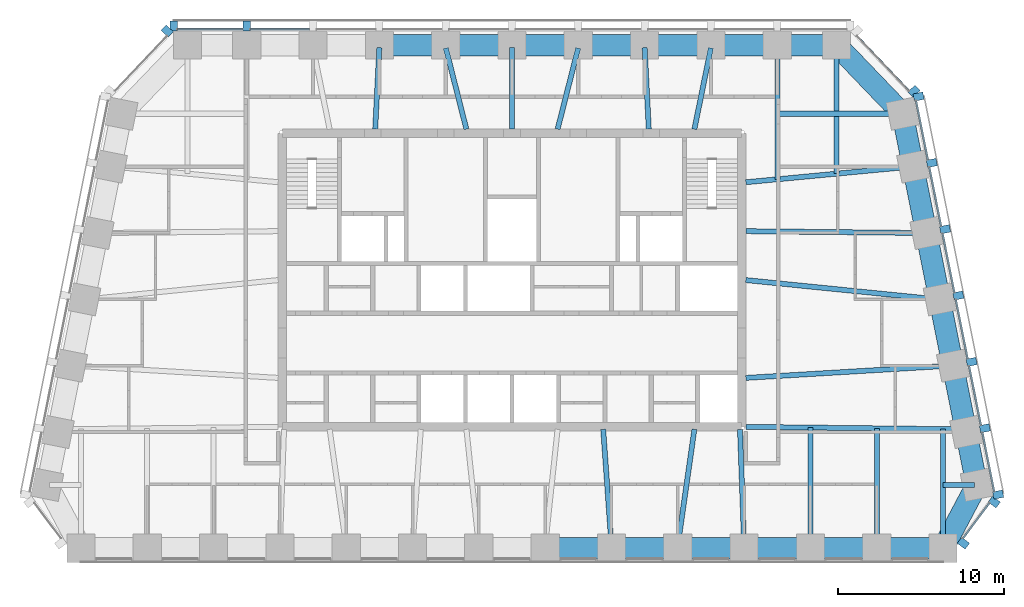
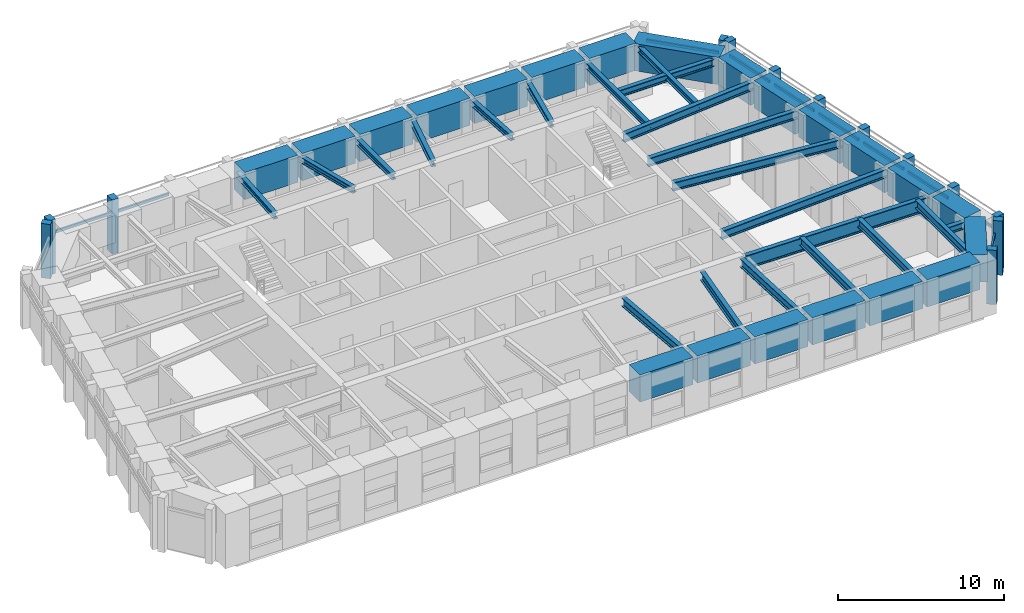
# One storey, part 2 of 10: 42 beams, 23 members, 5 elements without a shape of their own.
"""IFC4 building model written with IfcOpenShell, lengths in metres."""

import ifcopenshell
import ifcopenshell.guid

model = None  # the IFC model being written
_history = None  # IfcOwnerHistory: only IFC2X3 demands one
_inside = {}  # id of a spatial element -> (the spatial element, [elements in it])
_under = {}  # id of a project, library or spatial element -> (it, [spatial elements below it])
_declared = {}  # id of a project -> (the project, [libraries it declares])
_typed = {}  # id of a type object -> (the type object, [elements of that type])
_made_of = {}  # id of a material, layer set ... -> (it, [elements and type objects made of it])


def new_model(schema):
    """Start an empty IFC model of exactly this schema.

    Asked for "IFC4X3", IfcOpenShell would pick the latest addendum, in which some entities
    have other attributes; the version numbers below select the first issue.
    IFC2X3 requires an IfcOwnerHistory on every rooted entity: one is made here for all.
    """
    global model, _history
    if schema == "IFC4X3":
        model = ifcopenshell.file(schema_version=(4, 3, 0, 0))
    else:
        model = ifcopenshell.file(schema=schema)
    _inside.clear()
    _under.clear()
    _declared.clear()
    _typed.clear()
    _made_of.clear()
    _history = None
    if model.schema == "IFC2X3":
        org = make("IfcOrganization", Name="unknown")
        user = make(
            "IfcPersonAndOrganization",
            ThePerson=make("IfcPerson", FamilyName="unknown"),
            TheOrganization=org,
        )
        app = make(
            "IfcApplication",
            ApplicationDeveloper=org,
            Version="unknown",
            ApplicationFullName="unknown",
            ApplicationIdentifier="unknown",
        )
        _history = make(
            "IfcOwnerHistory",
            OwningUser=user,
            OwningApplication=app,
            ChangeAction="ADDED",
            CreationDate=0,
        )
    return model


def make(cls, **values):
    """One entity of the class cls with the attributes given. An attribute that is None is left unset."""
    return model.create_entity(
        cls, **{name: value for name, value in values.items() if value is not None}
    )


def rooted(cls, **values):
    """An entity with a GlobalId (a new one), such as an element, a storey or a relation."""
    return make(cls, GlobalId=ifcopenshell.guid.new(), OwnerHistory=_history, **values)


def si_unit(unit_type, name, prefix=None):
    """IfcSIUnit, for example si_unit("LENGTHUNIT", "METRE", prefix="MILLI")."""
    return make("IfcSIUnit", UnitType=unit_type, Prefix=prefix, Name=name)


def assignment(units):
    """IfcUnitAssignment: the units of a project."""
    return None if units is None else make("IfcUnitAssignment", Units=units)


def point(xyz):
    """IfcCartesianPoint."""
    return None if xyz is None else make("IfcCartesianPoint", Coordinates=xyz)


def direction(xyz):
    """IfcDirection."""
    return None if xyz is None else make("IfcDirection", DirectionRatios=xyz)


def frame(location, z_axis=None, x_axis=None):
    """IfcAxis2Placement3D, a coordinate frame: its origin and axes. An axis left out is left unset."""
    return make(
        "IfcAxis2Placement3D",
        Location=point(location),
        Axis=direction(z_axis),
        RefDirection=direction(x_axis),
    )


def frame_2d(location, x_axis=None):
    """IfcAxis2Placement2D, a coordinate frame in the plane: its origin and x axis."""
    return make(
        "IfcAxis2Placement2D", Location=point(location), RefDirection=direction(x_axis)
    )


def origin():
    """The frame at (0, 0, 0) with its axes left unset."""
    return frame((0.0, 0.0, 0.0))


def origin_2d():
    """The frame at (0, 0) in the plane with its x axis left unset."""
    return frame_2d((0.0, 0.0))


def place(relative_to, where):
    """IfcLocalPlacement: puts the frame where relative to a parent placement (None: the world)."""
    return make(
        "IfcLocalPlacement", PlacementRelTo=relative_to, RelativePlacement=where
    )


def context(
    kind, dimensions, precision=None, world=None, true_north=None, identifier=None
):
    """IfcGeometricRepresentationContext, for example the 3D "Model" context."""
    return make(
        "IfcGeometricRepresentationContext",
        ContextIdentifier=identifier,
        ContextType=kind,
        CoordinateSpaceDimension=dimensions,
        Precision=precision,
        WorldCoordinateSystem=world,
        TrueNorth=true_north,
    )


def subcontext(parent, identifier, kind, view, scale=None):
    """IfcGeometricRepresentationSubContext, for example "Body" below "Model"."""
    return make(
        "IfcGeometricRepresentationSubContext",
        ContextIdentifier=identifier,
        ContextType=kind,
        ParentContext=parent,
        TargetScale=scale,
        TargetView=view,
    )


def project(units=None, contexts=None):
    """IfcProject with its units and contexts."""
    return rooted(
        "IfcProject",
        Name="project",
        RepresentationContexts=contexts,
        UnitsInContext=assignment(units),
    )


def spatial(cls, under=None, at=None, **own):
    """A site, building, storey or space (cls), placed at a placement, below another one or the project."""
    s = rooted(cls, ObjectPlacement=at, **own)
    if under is not None:
        _under.setdefault(under.id(), (under, []))[1].append(s)
    return s


def profile(cls, at=None, kind="AREA", **sizes):
    """A parametric profile (cls). Its sizes go by their IFC names, for example OverallWidth=200.0."""
    return make(cls, ProfileType=kind, Position=at, **sizes)


def rectangle(**sizes):
    """IfcRectangleProfileDef."""
    return profile("IfcRectangleProfileDef", **sizes)


def i_section(**sizes):
    """IfcIShapeProfileDef."""
    return profile("IfcIShapeProfileDef", **sizes)


def extrude(swept, where, along, depth):
    """IfcExtrudedAreaSolid: the profile swept, set in the frame where, extruded along a direction by depth."""
    return make(
        "IfcExtrudedAreaSolid",
        SweptArea=swept,
        Position=where,
        ExtrudedDirection=direction(along),
        Depth=depth,
    )


def shape(context_of_items, identifier, shape_type, items):
    """IfcShapeRepresentation: the items that make up one representation, for example the "Body"."""
    return make(
        "IfcShapeRepresentation",
        ContextOfItems=context_of_items,
        RepresentationIdentifier=identifier,
        RepresentationType=shape_type,
        Items=items,
    )


def material(Name=None, Category=None):
    """IfcMaterial."""
    return make("IfcMaterial", Name=Name, Category=Category)


def material_profile(
    of_material, cross_section, Name=None, Category=None, Priority=None
):
    """IfcMaterialProfile: a cross section and its material."""
    return make(
        "IfcMaterialProfile",
        Name=Name,
        Material=of_material,
        Profile=cross_section,
        Priority=Priority,
        Category=Category,
    )


def profile_set(profiles, Name=None, composite=None):
    """IfcMaterialProfileSet."""
    return make(
        "IfcMaterialProfileSet",
        Name=Name,
        MaterialProfiles=profiles,
        CompositeProfile=composite,
    )


def made_of(thing, what):
    """Note that an element or type object is made of a material, layer set ...; save() writes the relation."""
    if what is not None:
        _made_of.setdefault(what.id(), (what, []))[1].append(thing)
    return thing


def type_object(cls, material=None, **own):
    """A type object (cls), such as IfcWallType, which elements share."""
    return made_of(rooted(cls, **own), material)


def element(
    cls,
    number,
    at=None,
    inside=None,
    cuts=None,
    type_object=None,
    material=None,
    context=None,
    identifier="Body",
    shape_type=None,
    held_by="IfcProductDefinitionShape",
    body=None,
    shapes=None,
    **own,
):
    """One element of the class cls, such as IfcWall. Its Tag is "e" and its number.

    at: its placement. inside: the storey or other place that contains it. cuts: it is an
    opening in that element (IfcRelVoidsElement). A single representation is given by context,
    identifier, shape_type and body (its items); several are given by shapes. held_by: the class
    of the entity that holds the representations. save() writes the other relations.
    """
    e = rooted(cls, Tag="e%d" % number, ObjectPlacement=at, **own)
    if body is not None:
        shapes = [shape(context, identifier, shape_type, body)]
    if shapes is not None:
        e.Representation = make(held_by, Representations=shapes)
    if inside is not None:
        _inside.setdefault(inside.id(), (inside, []))[1].append(e)
    if cuts is not None:
        rooted(
            "IfcRelVoidsElement", RelatingBuildingElement=cuts, RelatedOpeningElement=e
        )
    if type_object is not None:
        _typed.setdefault(type_object.id(), (type_object, []))[1].append(e)
    return made_of(e, material)


def aggregate(whole, parts):
    """IfcRelAggregates: a whole, such as a stair, and the parts it consists of."""
    return rooted("IfcRelAggregates", RelatingObject=whole, RelatedObjects=parts)


def save(model, path):
    """Write the relations noted so far, then the file.

    IfcRelAggregates (storeys below a building ...), IfcRelContainedInSpatialStructure (elements
    in a storey), IfcRelDefinesByType, IfcRelAssociatesMaterial and IfcRelDeclares: one each for
    every whole, place, type object, material and project.
    """
    for whole, parts in _under.values():
        aggregate(whole, parts)
    for where, things in _inside.values():
        rooted(
            "IfcRelContainedInSpatialStructure",
            RelatedElements=things,
            RelatingStructure=where,
        )
    for kind, things in _typed.values():
        rooted("IfcRelDefinesByType", RelatedObjects=things, RelatingType=kind)
    for what, things in _made_of.values():
        rooted("IfcRelAssociatesMaterial", RelatedObjects=things, RelatingMaterial=what)
    for by, libraries in _declared.values():
        rooted("IfcRelDeclares", RelatingContext=by, RelatedDefinitions=libraries)
    model.write(path)


model = new_model("IFC4")

# Units and contexts
model_context = context("Model", 3, precision=1e-05, world=origin(), true_north=direction((0.0, 1.0)))
body_context = subcontext(model_context, "Body", "Model", "MODEL_VIEW")
ifc_project = project(units=[si_unit("LENGTHUNIT", "METRE"), si_unit("AREAUNIT", "SQUARE_METRE"), si_unit("VOLUMEUNIT", "CUBIC_METRE"), si_unit("PLANEANGLEUNIT", "RADIAN"), si_unit("MASSUNIT", "GRAM", prefix="KILO")], contexts=[model_context])

# Site, building, storey
site_placement = place(None, origin())
site = spatial("IfcSite", under=ifc_project, at=site_placement, CompositionType="ELEMENT")
building_placement = place(site_placement, origin())
building = spatial("IfcBuilding", under=site, at=building_placement, Name="Isbrekke Arena Tower", CompositionType="ELEMENT")
storey_placement = place(building_placement, frame((0.0, 0.0, 300.0)))
storey = spatial("IfcBuildingStorey", under=building, at=storey_placement, Name="L70", CompositionType="ELEMENT", Elevation=300.0)

# Beams
ifc_material_1 = material(Name="Steel S355", Category="steel")
ifc_material_profile_1 = material_profile(ifc_material_1, i_section(OverallWidth=0.304931640625, OverallDepth=0.6201171875, WebThickness=0.02099609375, FlangeThickness=0.0400390625, FilletRadius=0.027099609375, at=origin_2d()), Name="HEM 600")
ifc_profile_set_1 = profile_set([ifc_material_profile_1], Name="Steel S355")
beam_type_1 = type_object("IfcBeamType", Name="B4 HEM 600", PredefinedType="BEAM", material=ifc_profile_set_1)
beam_1_placement = place(storey_placement, frame((5.999267578125, -1.01416015625, 3.5400390625), z_axis=(-0.071000313941, 0.997476293162, 0.0), x_axis=(-0.997476293162, -0.071000313941, 0.0)))
element("IfcBeam", 1, at=beam_1_placement, inside=storey, type_object=beam_type_1, Name="B4 beam C-S09 L70", PredefinedType="BEAM", context=body_context, shape_type="SweptSolid", body=[
    extrude(i_section(OverallWidth=0.304931640625, OverallDepth=0.6201171875, WebThickness=0.02099609375, FlangeThickness=0.0400390625, FilletRadius=0.027099609375, at=origin_2d()), origin(), (0.0, 0.0, 1.0), 7.031982421875),
])
beam_2_placement = place(storey_placement, frame((10.0029296875, -1.003662109375, 3.5400390625), z_axis=(0.140943016954, 0.990017709928, 0.0), x_axis=(-0.990017709928, 0.140943016954, 0.0)))
element("IfcBeam", 2, at=beam_2_placement, inside=storey, type_object=beam_type_1, Name="B4 beam C-S10 L70", PredefinedType="BEAM", context=body_context, shape_type="SweptSolid", body=[
    extrude(i_section(OverallWidth=0.304931640625, OverallDepth=0.6201171875, WebThickness=0.02099609375, FlangeThickness=0.0400390625, FilletRadius=0.027099609375, at=origin_2d()), origin(), (0.0, 0.0, 1.0), 7.07421875),
])
beam_3_placement = place(storey_placement, frame((13.999755859375, -1.01953125, 3.5400390625), z_axis=(-0.035557633654, 0.999367627397, 0.0), x_axis=(-0.999367627397, -0.035557633654, 0.0)))
element("IfcBeam", 3, at=beam_3_placement, inside=storey, type_object=beam_type_1, Name="B4 beam C-S11 L70", PredefinedType="BEAM", context=body_context, shape_type="SweptSolid", body=[
    extrude(i_section(OverallWidth=0.304931640625, OverallDepth=0.6201171875, WebThickness=0.02099609375, FlangeThickness=0.0400390625, FilletRadius=0.027099609375, at=origin_2d()), origin(), (0.0, 0.0, 1.0), 7.02392578125),
])
beam_4_placement = place(storey_placement, frame((18.0, -1.02490234375, 3.5400390625), z_axis=(0.0, 1.0, 0.0), x_axis=(-1.0, 0.0, 0.0)))
element("IfcBeam", 4, at=beam_4_placement, inside=storey, type_object=beam_type_1, Name="B4 beam C-S12 L70", PredefinedType="BEAM", context=body_context, shape_type="SweptSolid", body=[
    extrude(i_section(OverallWidth=0.304931640625, OverallDepth=0.6201171875, WebThickness=0.02099609375, FlangeThickness=0.0400390625, FilletRadius=0.027099609375, at=origin_2d()), origin(), (0.0, 0.0, 1.0), 7.130859375),
])
beam_5_placement = place(storey_placement, frame((22.0, -1.02490234375, 3.5400390625), z_axis=(0.0, 1.0, 0.0), x_axis=(-1.0, 0.0, 0.0)))
element("IfcBeam", 5, at=beam_5_placement, inside=storey, type_object=beam_type_1, Name="B4 beam C-S13 L70", PredefinedType="BEAM", context=body_context, shape_type="SweptSolid", body=[
    extrude(i_section(OverallWidth=0.304931640625, OverallDepth=0.6201171875, WebThickness=0.02099609375, FlangeThickness=0.0400390625, FilletRadius=0.027099609375, at=origin_2d()), origin(), (0.0, 0.0, 1.0), 7.085693359375),
])
beam_6_placement = place(storey_placement, frame((26.0, -1.02490234375, 3.5400390625), z_axis=(0.0, 1.0, 0.0), x_axis=(-1.0, 0.0, 0.0)))
element("IfcBeam", 6, at=beam_6_placement, inside=storey, type_object=beam_type_1, Name="B4 beam C-S14 L70", PredefinedType="BEAM", context=body_context, shape_type="SweptSolid", body=[
    extrude(i_section(OverallWidth=0.304931640625, OverallDepth=0.6201171875, WebThickness=0.02099609375, FlangeThickness=0.0400390625, FilletRadius=0.027099609375, at=origin_2d()), origin(), (0.0, 0.0, 1.0), 7.04052734375),
])
beam_7_placement = place(storey_placement, frame((26.431884765625, 9.837646484375, 3.5400390625), z_axis=(-0.998216240514, -0.059702070095, 0.0), x_axis=(0.059702070095, -0.998216240514, 0.0)))
element("IfcBeam", 7, at=beam_7_placement, inside=storey, type_object=beam_type_1, Name="B4 beam E-E03 L70", PredefinedType="BEAM", context=body_context, shape_type="SweptSolid", body=[
    extrude(i_section(OverallWidth=0.304931640625, OverallDepth=0.6201171875, WebThickness=0.02099609375, FlangeThickness=0.0400390625, FilletRadius=0.027099609375, at=origin_2d()), origin(), (0.0, 0.0, 1.0), 12.353759765625),
])
beam_8_placement = place(storey_placement, frame((25.625732421875, 13.83984375, 3.5400390625), z_axis=(-0.994972081505, 0.100152668587, 0.0), x_axis=(-0.100152668587, -0.994972081505, 0.0)))
element("IfcBeam", 8, at=beam_8_placement, inside=storey, type_object=beam_type_1, Name="B4 beam E-E04 L70", PredefinedType="BEAM", context=body_context, shape_type="SweptSolid", body=[
    extrude(i_section(OverallWidth=0.304931640625, OverallDepth=0.6201171875, WebThickness=0.02099609375, FlangeThickness=0.0400390625, FilletRadius=0.027099609375, at=origin_2d()), origin(), (0.0, 0.0, 1.0), 11.583984375),
])
beam_9_placement = place(storey_placement, frame((24.83935546875, 17.838134765625, 3.5400390625), z_axis=(-0.999945800258, 0.010411366203, 0.0), x_axis=(-0.010411366203, -0.999945800258, 0.0)))
element("IfcBeam", 9, at=beam_9_placement, inside=storey, type_object=beam_type_1, Name="B4 beam E-E05 L70", PredefinedType="BEAM", context=body_context, shape_type="SweptSolid", body=[
    extrude(i_section(OverallWidth=0.304931640625, OverallDepth=0.6201171875, WebThickness=0.02099609375, FlangeThickness=0.0400390625, FilletRadius=0.027099609375, at=origin_2d()), origin(), (0.0, 0.0, 1.0), 10.73974609375),
])
beam_10_placement = place(storey_placement, frame((24.02685546875, 21.8369140625, 3.5400390625), z_axis=(-0.995574576627, -0.093974796485, 0.0), x_axis=(0.093974796485, -0.995574576627, 0.0)))
element("IfcBeam", 10, at=beam_10_placement, inside=storey, type_object=beam_type_1, Name="B4 beam E-E06 L70", PredefinedType="BEAM", context=body_context, shape_type="SweptSolid", body=[
    extrude(i_section(OverallWidth=0.304931640625, OverallDepth=0.6201171875, WebThickness=0.02099609375, FlangeThickness=0.0400390625, FilletRadius=0.027099609375, at=origin_2d()), origin(), (0.0, 0.0, 1.0), 9.970947265625),
])
ifc_material_2 = material(Name="Steel S355", Category="steel")
ifc_material_profile_2 = material_profile(ifc_material_2, i_section(OverallWidth=0.305908203125, OverallDepth=0.52392578125, WebThickness=0.02099609375, FlangeThickness=0.0400390625, FilletRadius=0.027099609375, at=origin_2d()), Name="HEM 500")
ifc_profile_set_2 = profile_set([ifc_material_profile_2], Name="Steel S355")
beam_type_2 = type_object("IfcBeamType", Name="B5 HEM 500", PredefinedType="BEAM", material=ifc_profile_set_2)
beam_11_placement = place(storey_placement, frame((27.879150390625, 2.647216796875, 3.587890625), z_axis=(-1.0, 0.0, 0.0), x_axis=(0.0, -1.0, 0.0)))
element("IfcBeam", 11, at=beam_11_placement, inside=storey, type_object=beam_type_2, Name="B5 beam E-E01 L70", PredefinedType="BEAM", context=body_context, shape_type="SweptSolid", body=[
    extrude(i_section(OverallWidth=0.305908203125, OverallDepth=0.52392578125, WebThickness=0.02099609375, FlangeThickness=0.0400390625, FilletRadius=0.027099609375, at=origin_2d()), origin(), (0.0, 0.0, 1.0), 1.879150390625),
])
beam_12_placement = place(storey_placement, frame((23.40283203125, 25.029296875, 3.587890625), z_axis=(-1.0, 0.0, 0.0), x_axis=(0.0, -1.0, 0.0)))
element("IfcBeam", 12, at=beam_12_placement, inside=storey, type_object=beam_type_2, Name="B5 beam E-E07 L70", PredefinedType="BEAM", context=body_context, shape_type="SweptSolid", body=[
    extrude(i_section(OverallWidth=0.305908203125, OverallDepth=0.52392578125, WebThickness=0.02099609375, FlangeThickness=0.0400390625, FilletRadius=0.027099609375, at=origin_2d()), origin(), (0.0, 0.0, 1.0), 7.40283203125),
])
ifc_material_3 = material(Name="Steel S355", Category="steel")
ifc_material_profile_3 = material_profile(ifc_material_3, i_section(OverallWidth=0.306884765625, OverallDepth=0.431884765625, WebThickness=0.02099609375, FlangeThickness=0.0400390625, FilletRadius=0.027099609375, at=origin_2d()), Name="HEM 400")
ifc_profile_set_3 = profile_set([ifc_material_profile_3], Name="Steel S355")
beam_type_3 = type_object("IfcBeamType", Name="B6 HEM 400", PredefinedType="BEAM", material=ifc_profile_set_3)
beam_13_placement = place(storey_placement, frame((19.574951171875, 29.02490234375, 3.634033203125), z_axis=(0.0, -1.0, 0.0), x_axis=(1.0, 0.0, 0.0)))
element("IfcBeam", 13, at=beam_13_placement, inside=storey, type_object=beam_type_3, Name="B6 beam N-N01 L70", PredefinedType="BEAM", context=body_context, shape_type="SweptSolid", body=[
    extrude(i_section(OverallWidth=0.306884765625, OverallDepth=0.431884765625, WebThickness=0.02099609375, FlangeThickness=0.0400390625, FilletRadius=0.027099609375, at=origin_2d()), origin(), (0.0, 0.0, 1.0), 7.608154296875),
])
beam_14_placement = place(storey_placement, frame((16.0, 29.02490234375, 3.634033203125), z_axis=(0.0, -1.0, 0.0), x_axis=(1.0, 0.0, 0.0)))
element("IfcBeam", 14, at=beam_14_placement, inside=storey, type_object=beam_type_3, Name="B6 beam N-N02 L70", PredefinedType="BEAM", context=body_context, shape_type="SweptSolid", body=[
    extrude(i_section(OverallWidth=0.306884765625, OverallDepth=0.431884765625, WebThickness=0.02099609375, FlangeThickness=0.0400390625, FilletRadius=0.027099609375, at=origin_2d()), origin(), (0.0, 0.0, 1.0), 7.945556640625),
])
beam_15_placement = place(storey_placement, frame((11.993896484375, 28.9951171875, 3.634033203125), z_axis=(-0.198982177337, -0.980003108721, 0.0), x_axis=(0.980003108721, -0.198982177337, 0.0)))
element("IfcBeam", 15, at=beam_15_placement, inside=storey, type_object=beam_type_3, Name="B6 beam N-N03 L70", PredefinedType="BEAM", context=body_context, shape_type="SweptSolid", body=[
    extrude(i_section(OverallWidth=0.306884765625, OverallDepth=0.431884765625, WebThickness=0.02099609375, FlangeThickness=0.0400390625, FilletRadius=0.027099609375, at=origin_2d()), origin(), (0.0, 0.0, 1.0), 4.994873046875),
])
beam_16_placement = place(storey_placement, frame((8.00048828125, 29.017333984375, 3.634033203125), z_axis=(0.050677067868, -0.998715091902, 0.0), x_axis=(0.998715091902, 0.050677067868, 0.0)))
element("IfcBeam", 16, at=beam_16_placement, inside=storey, type_object=beam_type_3, Name="B6 beam N-N04 L70", PredefinedType="BEAM", context=body_context, shape_type="SweptSolid", body=[
    extrude(i_section(OverallWidth=0.306884765625, OverallDepth=0.431884765625, WebThickness=0.02099609375, FlangeThickness=0.0400390625, FilletRadius=0.027099609375, at=origin_2d()), origin(), (0.0, 0.0, 1.0), 4.923583984375),
])
beam_17_placement = place(storey_placement, frame((3.99072265625, 28.98828125, 3.634033203125), z_axis=(-0.246019579109, -0.969264858898, 0.0), x_axis=(0.969264858898, -0.246019579109, 0.0)))
element("IfcBeam", 17, at=beam_17_placement, inside=storey, type_object=beam_type_3, Name="B6 beam N-N05 L70", PredefinedType="BEAM", context=body_context, shape_type="SweptSolid", body=[
    extrude(i_section(OverallWidth=0.306884765625, OverallDepth=0.431884765625, WebThickness=0.02099609375, FlangeThickness=0.0400390625, FilletRadius=0.027099609375, at=origin_2d()), origin(), (0.0, 0.0, 1.0), 5.043212890625),
])
beam_18_placement = place(storey_placement, frame((0.0, 29.02490234375, 3.634033203125), z_axis=(0.0, -1.0, 0.0), x_axis=(1.0, 0.0, 0.0)))
element("IfcBeam", 18, at=beam_18_placement, inside=storey, type_object=beam_type_3, Name="B6 beam N-N06 L70", PredefinedType="BEAM", context=body_context, shape_type="SweptSolid", body=[
    extrude(i_section(OverallWidth=0.306884765625, OverallDepth=0.431884765625, WebThickness=0.02099609375, FlangeThickness=0.0400390625, FilletRadius=0.027099609375, at=origin_2d()), origin(), (0.0, 0.0, 1.0), 4.9248046875),
])
beam_19_placement = place(storey_placement, frame((-3.99072265625, 28.98828125, 3.634033203125), z_axis=(0.246019579109, -0.969264858898, 0.0), x_axis=(0.969264858898, 0.246019579109, 0.0)))
element("IfcBeam", 19, at=beam_19_placement, inside=storey, type_object=beam_type_3, Name="B6 beam N-N07 L70", PredefinedType="BEAM", context=body_context, shape_type="SweptSolid", body=[
    extrude(i_section(OverallWidth=0.306884765625, OverallDepth=0.431884765625, WebThickness=0.02099609375, FlangeThickness=0.0400390625, FilletRadius=0.027099609375, at=origin_2d()), origin(), (0.0, 0.0, 1.0), 5.043212890625),
])
beam_20_placement = place(storey_placement, frame((-8.00048828125, 29.017333984375, 3.634033203125), z_axis=(-0.050677067868, -0.998715091902, 0.0), x_axis=(0.998715091902, -0.050677067868, 0.0)))
element("IfcBeam", 20, at=beam_20_placement, inside=storey, type_object=beam_type_3, Name="B6 beam N-N08 L70", PredefinedType="BEAM", context=body_context, shape_type="SweptSolid", body=[
    extrude(i_section(OverallWidth=0.306884765625, OverallDepth=0.431884765625, WebThickness=0.02099609375, FlangeThickness=0.0400390625, FilletRadius=0.027099609375, at=origin_2d()), origin(), (0.0, 0.0, 1.0), 4.923583984375),
])

# Curtain wall, members
ifc_material_4 = material(Name="Glazed aluminium curtain wall", Category="aluminium")
curtain_wall_type = type_object("IfcCurtainWallType", Name="CWT TOWER CURTAIN WALL TOP ZONE", PredefinedType="USERDEFINED", material=ifc_material_4)
curtain_wall_1_placement = place(storey_placement, origin())
curtain_wall_1 = element("IfcCurtainWall", 21, at=curtain_wall_1_placement, inside=storey, type_object=curtain_wall_type, Name="CWT curtain wall L70-SE", ObjectType="TOWER CURTAIN WALL TOP ZONE", PredefinedType="USERDEFINED")
ifc_material_5 = material(Name="Copper-clad aluminium mullion", Category="aluminium")
ifc_material_profile_4 = material_profile(ifc_material_5, rectangle(XDim=0.449951171875, YDim=0.60009765625, at=origin_2d()), Name="PIER 450X600")
ifc_profile_set_4 = profile_set([ifc_material_profile_4], Name="Copper-clad aluminium mullion")
member_type_1 = type_object("IfcMemberType", Name="CWT-M PIER MULLION 450 x 600", PredefinedType="MULLION", material=ifc_profile_set_4)
member_1_placement = place(storey_placement, frame((27.222900390625, -0.869384765625, 0.0), z_axis=(0.0, 0.0, 1.0), x_axis=(0.600000000002, 0.799999999998, 0.0)))
member_1 = element("IfcMember", 22, at=member_1_placement, type_object=member_type_1, Name="CWT-M mullion 1", PredefinedType="MULLION", context=body_context, shape_type="SweptSolid", body=[
    extrude(rectangle(XDim=0.449951171875, YDim=0.60009765625, at=origin_2d()), origin(), (0.0, 0.0, 1.0), 4.0),
])
member_2_placement = place(storey_placement, frame((29.084716796875, 1.613037109375, 0.0), z_axis=(0.0, 0.0, 1.0), x_axis=(0.600000000002, 0.799999999998, 0.0)))
member_2 = element("IfcMember", 23, at=member_2_placement, type_object=member_type_1, Name="CWT-M mullion 2", PredefinedType="MULLION", context=body_context, shape_type="SweptSolid", body=[
    extrude(rectangle(XDim=0.449951171875, YDim=0.60009765625, at=origin_2d()), origin(), (0.0, 0.0, 1.0), 4.0),
])

curtain_wall_2_placement = place(storey_placement, origin())
curtain_wall_2 = element("IfcCurtainWall", 24, at=curtain_wall_2_placement, inside=storey, type_object=curtain_wall_type, Name="CWT curtain wall L70-E", ObjectType="TOWER CURTAIN WALL TOP ZONE", PredefinedType="USERDEFINED")
member_3_placement = place(storey_placement, frame((29.318603515625, 2.063720703125, 0.0), z_axis=(0.0, 0.0, 1.0), x_axis=(-0.196116135138, 0.980580675691, 0.0)))
member_3 = element("IfcMember", 25, at=member_3_placement, type_object=member_type_1, Name="CWT-M mullion 1", PredefinedType="MULLION", context=body_context, shape_type="SweptSolid", body=[
    extrude(rectangle(XDim=0.449951171875, YDim=0.60009765625, at=origin_2d()), origin(), (0.0, 0.0, 1.0), 4.0),
])
member_4_placement = place(storey_placement, frame((28.518798828125, 6.063720703125, 0.0), z_axis=(0.0, 0.0, 1.0), x_axis=(-0.196116135138, 0.980580675691, 0.0)))
member_4 = element("IfcMember", 26, at=member_4_placement, type_object=member_type_1, Name="CWT-M mullion 2", PredefinedType="MULLION", context=body_context, shape_type="SweptSolid", body=[
    extrude(rectangle(XDim=0.449951171875, YDim=0.60009765625, at=origin_2d()), origin(), (0.0, 0.0, 1.0), 4.0),
])
member_5_placement = place(storey_placement, frame((27.71875, 10.063720703125, 0.0), z_axis=(0.0, 0.0, 1.0), x_axis=(-0.196116135138, 0.980580675691, 0.0)))
member_5 = element("IfcMember", 27, at=member_5_placement, type_object=member_type_1, Name="CWT-M mullion 3", PredefinedType="MULLION", context=body_context, shape_type="SweptSolid", body=[
    extrude(rectangle(XDim=0.449951171875, YDim=0.60009765625, at=origin_2d()), origin(), (0.0, 0.0, 1.0), 4.0),
])
member_6_placement = place(storey_placement, frame((26.918701171875, 14.063720703125, 0.0), z_axis=(0.0, 0.0, 1.0), x_axis=(-0.196116135138, 0.980580675691, 0.0)))
member_6 = element("IfcMember", 28, at=member_6_placement, type_object=member_type_1, Name="CWT-M mullion 4", PredefinedType="MULLION", context=body_context, shape_type="SweptSolid", body=[
    extrude(rectangle(XDim=0.449951171875, YDim=0.60009765625, at=origin_2d()), origin(), (0.0, 0.0, 1.0), 4.0),
])
member_7_placement = place(storey_placement, frame((26.11865234375, 18.063720703125, 0.0), z_axis=(0.0, 0.0, 1.0), x_axis=(-0.196116135138, 0.980580675691, 0.0)))
member_7 = element("IfcMember", 29, at=member_7_placement, type_object=member_type_1, Name="CWT-M mullion 5", PredefinedType="MULLION", context=body_context, shape_type="SweptSolid", body=[
    extrude(rectangle(XDim=0.449951171875, YDim=0.60009765625, at=origin_2d()), origin(), (0.0, 0.0, 1.0), 4.0),
])
member_8_placement = place(storey_placement, frame((25.318603515625, 22.063720703125, 0.0), z_axis=(0.0, 0.0, 1.0), x_axis=(-0.196116135138, 0.980580675691, 0.0)))
member_8 = element("IfcMember", 30, at=member_8_placement, type_object=member_type_1, Name="CWT-M mullion 6", PredefinedType="MULLION", context=body_context, shape_type="SweptSolid", body=[
    extrude(rectangle(XDim=0.449951171875, YDim=0.60009765625, at=origin_2d()), origin(), (0.0, 0.0, 1.0), 4.0),
])
member_9_placement = place(storey_placement, frame((24.518798828125, 26.063720703125, 0.0), z_axis=(0.0, 0.0, 1.0), x_axis=(-0.196116135138, 0.980580675691, 0.0)))
member_9 = element("IfcMember", 31, at=member_9_placement, type_object=member_type_1, Name="CWT-M mullion 7", PredefinedType="MULLION", context=body_context, shape_type="SweptSolid", body=[
    extrude(rectangle(XDim=0.449951171875, YDim=0.60009765625, at=origin_2d()), origin(), (0.0, 0.0, 1.0), 4.0),
])

# Curtain wall, member
curtain_wall_3_placement = place(storey_placement, origin())
curtain_wall_3 = element("IfcCurtainWall", 32, at=curtain_wall_3_placement, inside=storey, type_object=curtain_wall_type, Name="CWT curtain wall L70-EN", ObjectType="TOWER CURTAIN WALL TOP ZONE", PredefinedType="USERDEFINED")
member_10_placement = place(storey_placement, frame((24.244384765625, 26.388671875, 0.0), z_axis=(0.0, 0.0, 1.0), x_axis=(-0.68874946192, 0.72499943359, 0.0)))
member_10 = element("IfcMember", 33, at=member_10_placement, type_object=member_type_1, Name="CWT-M mullion 1", PredefinedType="MULLION", context=body_context, shape_type="SweptSolid", body=[
    extrude(rectangle(XDim=0.449951171875, YDim=0.60009765625, at=origin_2d()), origin(), (0.0, 0.0, 1.0), 4.0),
])

# Curtain wall, members
curtain_wall_4_placement = place(storey_placement, origin())
curtain_wall_4 = element("IfcCurtainWall", 34, at=curtain_wall_4_placement, inside=storey, type_object=curtain_wall_type, Name="CWT curtain wall L70-N", ObjectType="TOWER CURTAIN WALL TOP ZONE", PredefinedType="USERDEFINED")
member_11_placement = place(storey_placement, frame((-16.0, 30.324951171875, 0.0), z_axis=(0.0, 0.0, 1.0), x_axis=(-1.0, 0.0, 0.0)))
member_11 = element("IfcMember", 35, at=member_11_placement, type_object=member_type_1, Name="CWT-M mullion 10", PredefinedType="MULLION", context=body_context, shape_type="SweptSolid", body=[
    extrude(rectangle(XDim=0.449951171875, YDim=0.60009765625, at=origin_2d()), origin(), (0.0, 0.0, 1.0), 4.0),
])
member_12_placement = place(storey_placement, frame((-20.39990234375, 30.324951171875, 0.0), z_axis=(0.0, 0.0, 1.0), x_axis=(-1.0, 0.0, 0.0)))
member_12 = element("IfcMember", 36, at=member_12_placement, type_object=member_type_1, Name="CWT-M mullion 11", PredefinedType="MULLION", context=body_context, shape_type="SweptSolid", body=[
    extrude(rectangle(XDim=0.449951171875, YDim=0.60009765625, at=origin_2d()), origin(), (0.0, 0.0, 1.0), 4.0),
])

# Curtain wall, member
curtain_wall_5_placement = place(storey_placement, origin())
curtain_wall_5 = element("IfcCurtainWall", 37, at=curtain_wall_5_placement, inside=storey, type_object=curtain_wall_type, Name="CWT curtain wall L70-NW", ObjectType="TOWER CURTAIN WALL TOP ZONE", PredefinedType="USERDEFINED")
member_13_placement = place(storey_placement, frame((-20.795166015625, 30.01953125, 0.0), z_axis=(0.0, 0.0, 1.0), x_axis=(-0.68874946192, -0.72499943359, 0.0)))
member_13 = element("IfcMember", 38, at=member_13_placement, type_object=member_type_1, Name="CWT-M mullion 1", PredefinedType="MULLION", context=body_context, shape_type="SweptSolid", body=[
    extrude(rectangle(XDim=0.449951171875, YDim=0.60009765625, at=origin_2d()), origin(), (0.0, 0.0, 1.0), 4.0),
])
aggregate(curtain_wall_5, [member_13])

# Member
ifc_material_6 = material(Name="Aluminium transom", Category="aluminium")
ifc_material_profile_5 = material_profile(ifc_material_6, rectangle(XDim=0.1201171875, YDim=0.199951171875, at=origin_2d()), Name="TRANSOM 120X200")
ifc_profile_set_5 = profile_set([ifc_material_profile_5], Name="Aluminium transom")
member_type_2 = type_object("IfcMemberType", Name="CWT-T TRANSOM 120 x 200", PredefinedType="USERDEFINED", material=ifc_profile_set_5)
member_14_placement = place(storey_placement, frame((27.197998046875, -0.5693359375, 3.0), z_axis=(0.600014724186, 0.799988956649, 0.0), x_axis=(-0.799988956649, 0.600014724186, 0.0)))
member_14 = element("IfcMember", 39, at=member_14_placement, type_object=member_type_2, Name="CWT-T transom 1", ObjectType="TRANSOM", PredefinedType="USERDEFINED", context=body_context, shape_type="SweptSolid", body=[
    extrude(rectangle(XDim=0.1201171875, YDim=0.199951171875, at=origin_2d()), origin(), (0.0, 0.0, 1.0), 2.65283203125),
])

aggregate(curtain_wall_1, [member_1, member_2, member_14])

member_15_placement = place(storey_placement, frame((29.078369140625, 2.2451171875, 3.0), z_axis=(-0.196090262229, 0.980585849918, 0.0), x_axis=(-0.980585849918, -0.196090262229, 0.0)))
member_15 = element("IfcMember", 40, at=member_15_placement, type_object=member_type_2, Name="CWT-T transom 1", ObjectType="TRANSOM", PredefinedType="USERDEFINED", context=body_context, shape_type="SweptSolid", body=[
    extrude(rectangle(XDim=0.1201171875, YDim=0.199951171875, at=origin_2d()), origin(), (0.0, 0.0, 1.0), 3.62939453125),
])

member_16_placement = place(storey_placement, frame((28.278564453125, 6.2451171875, 3.0), z_axis=(-0.196154943734, 0.980572913173, 0.0), x_axis=(-0.980572913173, -0.196154943734, 0.0)))
member_16 = element("IfcMember", 41, at=member_16_placement, type_object=member_type_2, Name="CWT-T transom 2", ObjectType="TRANSOM", PredefinedType="USERDEFINED", context=body_context, shape_type="SweptSolid", body=[
    extrude(rectangle(XDim=0.1201171875, YDim=0.199951171875, at=origin_2d()), origin(), (0.0, 0.0, 1.0), 3.62939453125),
])

member_17_placement = place(storey_placement, frame((27.478515625, 10.2451171875, 3.0), z_axis=(-0.196154943734, 0.980572913173, 0.0), x_axis=(-0.980572913173, -0.196154943734, 0.0)))
member_17 = element("IfcMember", 42, at=member_17_placement, type_object=member_type_2, Name="CWT-T transom 3", ObjectType="TRANSOM", PredefinedType="USERDEFINED", context=body_context, shape_type="SweptSolid", body=[
    extrude(rectangle(XDim=0.1201171875, YDim=0.199951171875, at=origin_2d()), origin(), (0.0, 0.0, 1.0), 3.62939453125),
])

member_18_placement = place(storey_placement, frame((26.678466796875, 14.2451171875, 3.0), z_axis=(-0.196090262229, 0.980585849918, 0.0), x_axis=(-0.980585849918, -0.196090262229, 0.0)))
member_18 = element("IfcMember", 43, at=member_18_placement, type_object=member_type_2, Name="CWT-T transom 4", ObjectType="TRANSOM", PredefinedType="USERDEFINED", context=body_context, shape_type="SweptSolid", body=[
    extrude(rectangle(XDim=0.1201171875, YDim=0.199951171875, at=origin_2d()), origin(), (0.0, 0.0, 1.0), 3.62939453125),
])

member_19_placement = place(storey_placement, frame((25.87841796875, 18.2451171875, 3.0), z_axis=(-0.196090262229, 0.980585849918, 0.0), x_axis=(-0.980585849918, -0.196090262229, 0.0)))
member_19 = element("IfcMember", 44, at=member_19_placement, type_object=member_type_2, Name="CWT-T transom 5", ObjectType="TRANSOM", PredefinedType="USERDEFINED", context=body_context, shape_type="SweptSolid", body=[
    extrude(rectangle(XDim=0.1201171875, YDim=0.199951171875, at=origin_2d()), origin(), (0.0, 0.0, 1.0), 3.62939453125),
])

member_20_placement = place(storey_placement, frame((25.078369140625, 22.2451171875, 3.0), z_axis=(-0.196090262229, 0.980585849918, 0.0), x_axis=(-0.980585849918, -0.196090262229, 0.0)))
member_20 = element("IfcMember", 45, at=member_20_placement, type_object=member_type_2, Name="CWT-T transom 6", ObjectType="TRANSOM", PredefinedType="USERDEFINED", context=body_context, shape_type="SweptSolid", body=[
    extrude(rectangle(XDim=0.1201171875, YDim=0.199951171875, at=origin_2d()), origin(), (0.0, 0.0, 1.0), 3.62939453125),
])

aggregate(curtain_wall_2, [member_3, member_4, member_5, member_6, member_7, member_8, member_9, member_15, member_16, member_17, member_18, member_19, member_20])

member_21_placement = place(storey_placement, frame((23.944580078125, 26.4140625, 3.0), z_axis=(-0.688771983213, 0.724978037696, 0.0), x_axis=(-0.724978037696, -0.688771983213, 0.0)))
member_21 = element("IfcMember", 46, at=member_21_placement, type_object=member_type_2, Name="CWT-T transom 1", ObjectType="TRANSOM", PredefinedType="USERDEFINED", context=body_context, shape_type="SweptSolid", body=[
    extrude(rectangle(XDim=0.1201171875, YDim=0.199951171875, at=origin_2d()), origin(), (0.0, 0.0, 1.0), 4.558349609375),
])

aggregate(curtain_wall_3, [member_10, member_21])

member_22_placement = place(storey_placement, frame((-12.22509765625, 30.125, 3.0), z_axis=(-1.0, 0.0, 0.0), x_axis=(0.0, -1.0, 0.0)))
member_22 = element("IfcMember", 47, at=member_22_placement, type_object=member_type_2, Name="CWT-T transom 9", ObjectType="TRANSOM", PredefinedType="USERDEFINED", context=body_context, shape_type="SweptSolid", body=[
    extrude(rectangle(XDim=0.1201171875, YDim=0.199951171875, at=origin_2d()), origin(), (0.0, 0.0, 1.0), 3.5498046875),
])

member_23_placement = place(storey_placement, frame((-16.22509765625, 30.125, 3.0), z_axis=(-1.0, 0.0, 0.0), x_axis=(0.0, -1.0, 0.0)))
member_23 = element("IfcMember", 48, at=member_23_placement, type_object=member_type_2, Name="CWT-T transom 10", ObjectType="TRANSOM", PredefinedType="USERDEFINED", context=body_context, shape_type="SweptSolid", body=[
    extrude(rectangle(XDim=0.1201171875, YDim=0.199951171875, at=origin_2d()), origin(), (0.0, 0.0, 1.0), 3.949951171875),
])

aggregate(curtain_wall_4, [member_11, member_12, member_22, member_23])

# Beams
ifc_material_7 = material(Name="Steel S355", Category="steel")
ifc_material_profile_6 = material_profile(ifc_material_7, i_section(OverallWidth=0.302001953125, OverallDepth=1.008056640625, WebThickness=0.02099609375, FlangeThickness=0.0400390625, FilletRadius=0.030029296875, at=origin_2d()), Name="HEM 1000")
ifc_profile_set_6 = profile_set([ifc_material_profile_6], Name="Steel S355")
beam_type_4 = type_object("IfcBeamType", Name="G2 HEM 1000", PredefinedType="BEAM", material=ifc_profile_set_6)
beam_21_placement = place(storey_placement, frame((14.10009765625, 6.14990234375, 3.345947265625), z_axis=(0.999936387749, -0.011279204565, 0.0), x_axis=(0.011279204565, 0.999936387749, 0.0)))
element("IfcBeam", 49, at=beam_21_placement, inside=storey, type_object=beam_type_4, Name="G2 beam G2-E L70", PredefinedType="BEAM", context=body_context, shape_type="SweptSolid", body=[
    extrude(i_section(OverallWidth=0.302001953125, OverallDepth=1.008056640625, WebThickness=0.02099609375, FlangeThickness=0.0400390625, FilletRadius=0.030029296875, at=origin_2d()), origin(), (0.0, 0.0, 1.0), 13.2900390625),
])
ifc_material_8 = material(Name="Concrete B55 (C55/67)", Category="concrete")
ifc_material_profile_7 = material_profile(ifc_material_8, rectangle(XDim=1.300048828125, YDim=2.0, at=origin_2d()), Name="RC 1300x2000")
ifc_profile_set_7 = profile_set([ifc_material_profile_7], Name="Concrete B55 (C55/67)")
beam_type_5 = type_object("IfcBeamType", Name="SB4 RC 1300 x 2000", PredefinedType="SPANDREL", material=ifc_profile_set_7)
for number, where, z_axis, x_axis, name in (
    (50, (2.14990234375, -1.175048828125, 3.0), (1.0, 0.0, 0.0), (0.0, 1.0, 0.0), "SB4 spandrel S08-S09 L70"),
    (51, (6.14990234375, -1.175048828125, 3.0), (1.0, 0.0, 0.0), (0.0, 1.0, 0.0), "SB4 spandrel S09-S10 L70"),
    (52, (10.14990234375, -1.175048828125, 3.0), (1.0, 0.0, 0.0), (0.0, 1.0, 0.0), "SB4 spandrel S10-S11 L70"),
    (53, (14.14990234375, -1.175048828125, 3.0), (1.0, 0.0, 0.0), (0.0, 1.0, 0.0), "SB4 spandrel S11-S12 L70"),
    (54, (18.14990234375, -1.175048828125, 3.0), (1.0, 0.0, 0.0), (0.0, 1.0, 0.0), "SB4 spandrel S12-S13 L70"),
    (55, (22.14990234375, -1.175048828125, 3.0), (1.0, 0.0, 0.0), (0.0, 1.0, 0.0), "SB4 spandrel S13-S14 L70"),
):
    element("IfcBeam", number, at=place(storey_placement, frame(where, z_axis=z_axis, x_axis=x_axis)), inside=storey, type_object=beam_type_5, Name=name, PredefinedType="SPANDREL", context=body_context, shape_type="SweptSolid", body=[
        extrude(rectangle(XDim=1.300048828125, YDim=2.0, at=origin_2d()), origin(), (0.0, 0.0, 1.0), 3.7001953125),
    ])
beam_22_placement = place(storey_placement, frame((26.0703125, -1.04248046875, 3.0), z_axis=(0.468951332977, 0.883224007429, 0.0), x_axis=(-0.883224007429, 0.468951332977, 0.0)))
element("IfcBeam", 56, at=beam_22_placement, inside=storey, type_object=beam_type_5, Name="SB4 spandrel S14-E01 L70", PredefinedType="SPANDREL", context=body_context, shape_type="SweptSolid", body=[
    extrude(rectangle(XDim=1.300048828125, YDim=2.0, at=origin_2d()), origin(), (0.0, 0.0, 1.0), 4.02734375),
])
beam_23_placement = place(storey_placement, frame((27.999755859375, 2.794189453125, 3.0), z_axis=(-0.196100243168, 0.980583853951, 0.0), x_axis=(-0.980583853951, -0.196100243168, 0.0)))
element("IfcBeam", 57, at=beam_23_placement, inside=storey, type_object=beam_type_5, Name="SB4 spandrel E01-E02 L70", PredefinedType="SPANDREL", context=body_context, shape_type="SweptSolid", body=[
    extrude(rectangle(XDim=1.300048828125, YDim=2.0, at=origin_2d()), origin(), (0.0, 0.0, 1.0), 2.954345703125),
])
beam_24_placement = place(storey_placement, frame((27.361572265625, 5.9853515625, 3.0), z_axis=(-0.196128558387, 0.980578190959, 0.0), x_axis=(-0.980578190959, -0.196128558387, 0.0)))
element("IfcBeam", 58, at=beam_24_placement, inside=storey, type_object=beam_type_5, Name="SB4 spandrel E02-E03 L70", PredefinedType="SPANDREL", context=body_context, shape_type="SweptSolid", body=[
    extrude(rectangle(XDim=1.300048828125, YDim=2.0, at=origin_2d()), origin(), (0.0, 0.0, 1.0), 3.779296875),
])
beam_25_placement = place(storey_placement, frame((26.5615234375, 9.9853515625, 3.0), z_axis=(-0.1960664412, 0.980590613169, 0.0), x_axis=(-0.980590613169, -0.1960664412, 0.0)))
element("IfcBeam", 59, at=beam_25_placement, inside=storey, type_object=beam_type_5, Name="SB4 spandrel E03-E04 L70", PredefinedType="SPANDREL", context=body_context, shape_type="SweptSolid", body=[
    extrude(rectangle(XDim=1.300048828125, YDim=2.0, at=origin_2d()), origin(), (0.0, 0.0, 1.0), 3.779052734375),
])
for number, where, z_axis, x_axis, name in (
    (60, (25.76171875, 13.9853515625, 3.0), (-0.196128558387, 0.980578190959, 0.0), (-0.980578190959, -0.196128558387, 0.0), "SB4 spandrel E04-E05 L70"),
    (61, (24.961669921875, 17.9853515625, 3.0), (-0.196128558387, 0.980578190959, 0.0), (-0.980578190959, -0.196128558387, 0.0), "SB4 spandrel E05-E06 L70"),
):
    element("IfcBeam", number, at=place(storey_placement, frame(where, z_axis=z_axis, x_axis=x_axis)), inside=storey, type_object=beam_type_5, Name=name, PredefinedType="SPANDREL", context=body_context, shape_type="SweptSolid", body=[
        extrude(rectangle(XDim=1.300048828125, YDim=2.0, at=origin_2d()), origin(), (0.0, 0.0, 1.0), 3.779296875),
    ])
beam_26_placement = place(storey_placement, frame((24.16162109375, 21.9853515625, 3.0), z_axis=(-0.196116135138, 0.980580675691, 0.0), x_axis=(-0.980580675691, -0.196116135138, 0.0)))
element("IfcBeam", 62, at=beam_26_placement, inside=storey, type_object=beam_type_5, Name="SB4 spandrel E06-E07 L70", PredefinedType="SPANDREL", context=body_context, shape_type="SweptSolid", body=[
    extrude(rectangle(XDim=1.300048828125, YDim=2.0, at=origin_2d()), origin(), (0.0, 0.0, 1.0), 2.9541015625),
])
beam_27_placement = place(storey_placement, frame((23.448974609375, 25.137451171875, 3.0), z_axis=(-0.692339547635, 0.721571861134, 0.0), x_axis=(-0.721571861134, -0.692339547635, 0.0)))
element("IfcBeam", 63, at=beam_27_placement, inside=storey, type_object=beam_type_5, Name="SB4 spandrel E07-N01 L70", PredefinedType="SPANDREL", context=body_context, shape_type="SweptSolid", body=[
    extrude(rectangle(XDim=1.300048828125, YDim=2.0, at=origin_2d()), origin(), (0.0, 0.0, 1.0), 5.4453125),
])
beam_28_placement = place(storey_placement, frame((19.425048828125, 29.175048828125, 3.0), z_axis=(-1.0, 0.0, 0.0), x_axis=(0.0, -1.0, 0.0)))
element("IfcBeam", 64, at=beam_28_placement, inside=storey, type_object=beam_type_5, Name="SB4 spandrel N01-N02 L70", PredefinedType="SPANDREL", context=body_context, shape_type="SweptSolid", body=[
    extrude(rectangle(XDim=1.300048828125, YDim=2.0, at=origin_2d()), origin(), (0.0, 0.0, 1.0), 3.275146484375),
])
for number, where, z_axis, x_axis, name in (
    (65, (15.85009765625, 29.175048828125, 3.0), (-1.0, 0.0, 0.0), (0.0, -1.0, 0.0), "SB4 spandrel N02-N03 L70"),
    (66, (11.85009765625, 29.175048828125, 3.0), (-1.0, 0.0, 0.0), (0.0, -1.0, 0.0), "SB4 spandrel N03-N04 L70"),
    (67, (7.85009765625, 29.175048828125, 3.0), (-1.0, 0.0, 0.0), (0.0, -1.0, 0.0), "SB4 spandrel N04-N05 L70"),
    (68, (3.85009765625, 29.175048828125, 3.0), (-1.0, 0.0, 0.0), (0.0, -1.0, 0.0), "SB4 spandrel N05-N06 L70"),
    (69, (-0.14990234375, 29.175048828125, 3.0), (-1.0, 0.0, 0.0), (0.0, -1.0, 0.0), "SB4 spandrel N06-N07 L70"),
    (70, (-4.14990234375, 29.175048828125, 3.0), (-1.0, 0.0, 0.0), (0.0, -1.0, 0.0), "SB4 spandrel N07-N08 L70"),
):
    element("IfcBeam", number, at=place(storey_placement, frame(where, z_axis=z_axis, x_axis=x_axis)), inside=storey, type_object=beam_type_5, Name=name, PredefinedType="SPANDREL", context=body_context, shape_type="SweptSolid", body=[
        extrude(rectangle(XDim=1.300048828125, YDim=2.0, at=origin_2d()), origin(), (0.0, 0.0, 1.0), 3.7001953125),
    ])

save(model, "model.ifc")
